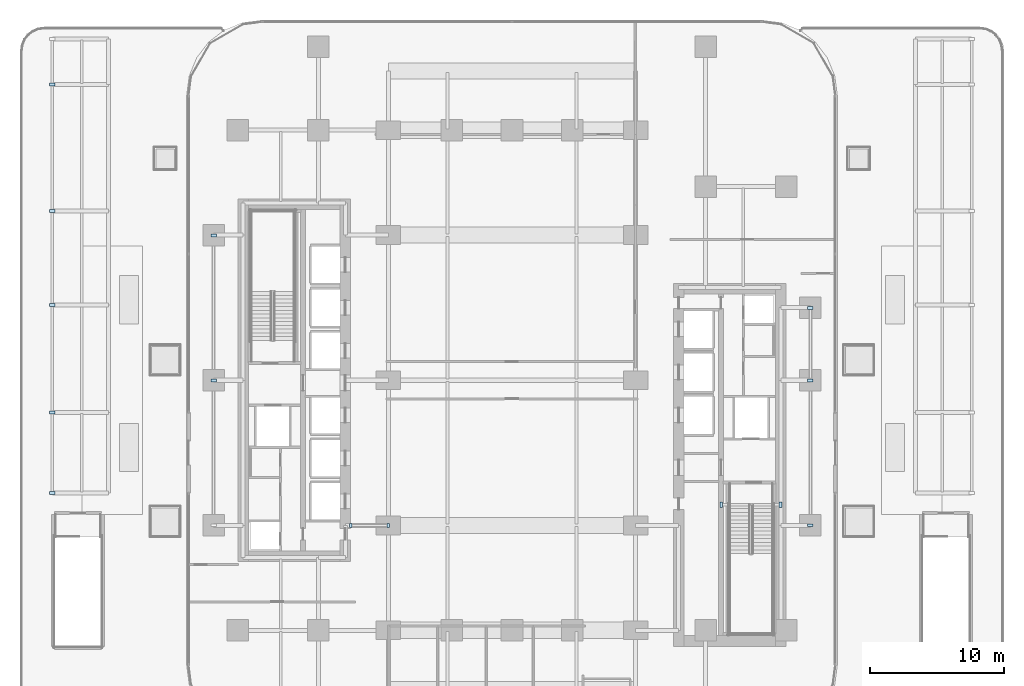
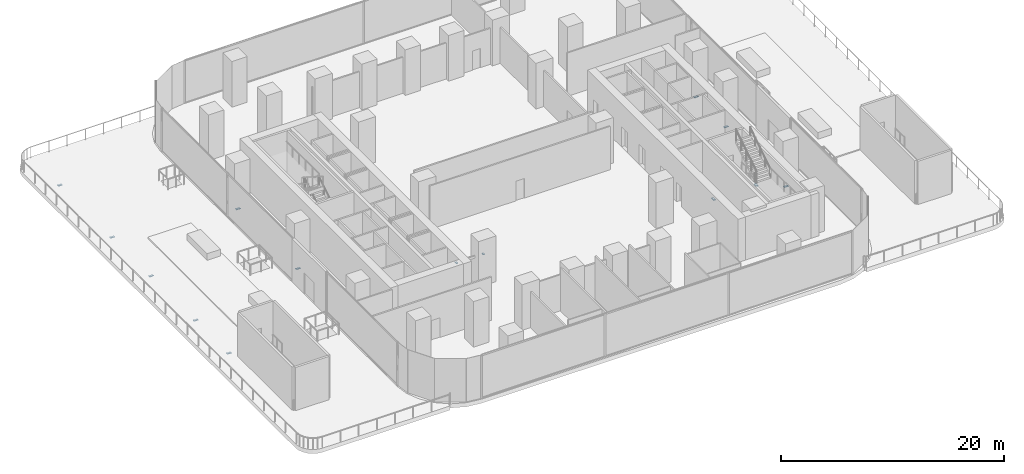
# One storey, part 4 of 21: 14 plates.
"""IFC4 building model written with IfcOpenShell, lengths in metres."""

from ifc_helpers import new_model, si_unit, direction, frame, origin, origin_2d, place, context, subcontext, project, spatial, rectangle, extrude, material, layer, layer_set, type_object, element, save


model = new_model("IFC4")

# Units and contexts
model_context = context("Model", 3, precision=1e-05, world=origin(), true_north=direction((0.0, 1.0)))
body_context = subcontext(model_context, "Body", "Model", "MODEL_VIEW")
ifc_project = project(units=[si_unit("LENGTHUNIT", "METRE"), si_unit("AREAUNIT", "SQUARE_METRE"), si_unit("VOLUMEUNIT", "CUBIC_METRE"), si_unit("PLANEANGLEUNIT", "RADIAN"), si_unit("MASSUNIT", "GRAM", prefix="KILO")], contexts=[model_context])

# Site, building, storey
site_placement = place(None, origin())
site = spatial("IfcSite", under=ifc_project, at=site_placement, CompositionType="ELEMENT")
building_placement = place(site_placement, origin())
building = spatial("IfcBuilding", under=site, at=building_placement, Name="Khairoan Windgate Tower", CompositionType="ELEMENT")
storey_placement = place(building_placement, frame((0.0, 0.0, 21.0)))
storey = spatial("IfcBuildingStorey", under=building, at=storey_placement, Name="L05", CompositionType="ELEMENT", Elevation=21.0)

# Plates
ifc_material = material(Name="Steel S355", Category="steel")
ifc_layer = layer(ifc_material, 0.0400390625, Name="Steel S355")
ifc_layer_set = layer_set([ifc_layer], Name="Steel S355")
plate_type = type_object("IfcPlateType", Name="Hollow Section End-Cap Plate PL-CAP40", PredefinedType="SHEET", material=ifc_layer_set)
for number, where, z_axis, x_axis, name in (
    (1, (-34.199951171875, -8.385009765625, -0.669921875), (0.0, 0.0, 1.0), (0.0, 1.0, 0.0), "BM-SP-L05-040 steel end-cap plate 1"),
    (2, (-34.199951171875, -2.4150390625, -0.669921875), (0.0, 0.0, 1.0), (0.0, 1.0, 0.0), "BM-SP-L05-040 steel end-cap plate 2"),
    (3, (-34.199951171875, 5.5849609375, -0.669921875), (0.0, 0.0, 1.0), (0.0, 1.0, 0.0), "BM-SP-L05-041 steel end-cap plate 2"),
    (4, (-34.199951171875, 12.5849609375, -0.669921875), (0.0, 0.0, 1.0), (0.0, 1.0, 0.0), "BM-SP-L05-042 steel end-cap plate 2"),
    (5, (-34.199951171875, 21.985107421875, -0.669921875), (0.0, 0.0, 1.0), (0.0, 1.0, 0.0), "BM-SP-L05-043 steel end-cap plate 2"),
    (6, (-22.199951171875, -0.014892578125, -0.669921875), (0.0, 0.0, 1.0), (0.0, 1.0, 0.0), "BM-SP-L05-050 steel end-cap plate 2"),
    (7, (-22.199951171875, 10.784912109375, -0.669921875), (0.0, 0.0, 1.0), (0.0, 1.0, 0.0), "BM-SP-L05-051 steel end-cap plate 2"),
    (8, (22.199951171875, -10.784912109375, -0.669921875), (0.0, 0.0, 1.0), (0.0, 1.0, 0.0), "BM-SP-L05-081 steel end-cap plate 1"),
    (9, (22.199951171875, -0.014892578125, -0.669921875), (0.0, 0.0, 1.0), (0.0, 1.0, 0.0), "BM-SP-L05-081 steel end-cap plate 2"),
    (10, (22.199951171875, 5.385009765625, -0.669921875), (0.0, 0.0, 1.0), (0.0, 1.0, 0.0), "BM-SP-L05-082 steel end-cap plate 2"),
    (11, (15.56494140625, -9.260009765625, -0.669921875), (0.0, 0.0, 1.0), (1.0, 0.0, 0.0), "BM-ST1-TRIM-L05 steel end-cap plate 1"),
    (12, (19.985107421875, -9.260009765625, -0.669921875), (0.0, 0.0, 1.0), (1.0, 0.0, 0.0), "BM-ST1-TRIM-L05 steel end-cap plate 2"),
):
    element("IfcPlate", number, at=place(storey_placement, frame(where, z_axis=z_axis, x_axis=x_axis)), inside=storey, type_object=plate_type, Name=name, PredefinedType="SHEET", context=body_context, shape_type="SweptSolid", body=[
        extrude(rectangle(XDim=0.219970703125, YDim=0.419921875, at=origin_2d()), origin(), (0.0, 0.0, 1.0), 0.0400390625),
    ])
for number, where, z_axis, x_axis, name in (
    (13, (-12.0048828125, -10.800048828125, 2.929931640625), (0.0, 0.0, 1.0), (1.0, 0.0, 0.0), "BM-LINTEL-L05 steel end-cap plate 1"),
    (14, (-9.215087890625, -10.800048828125, 2.929931640625), (0.0, 0.0, 1.0), (1.0, 0.0, 0.0), "BM-LINTEL-L05 steel end-cap plate 2"),
):
    element("IfcPlate", number, at=place(storey_placement, frame(where, z_axis=z_axis, x_axis=x_axis)), inside=storey, type_object=plate_type, Name=name, PredefinedType="SHEET", context=body_context, shape_type="SweptSolid", body=[
        extrude(rectangle(XDim=0.169921875, YDim=0.27001953125, at=origin_2d()), origin(), (0.0, 0.0, 1.0), 0.0400390625),
    ])

save(model, "model.ifc")
